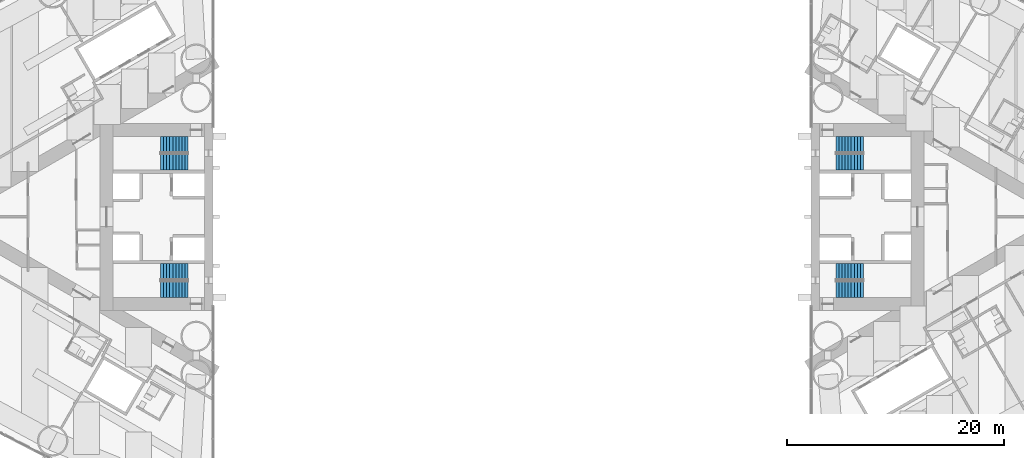
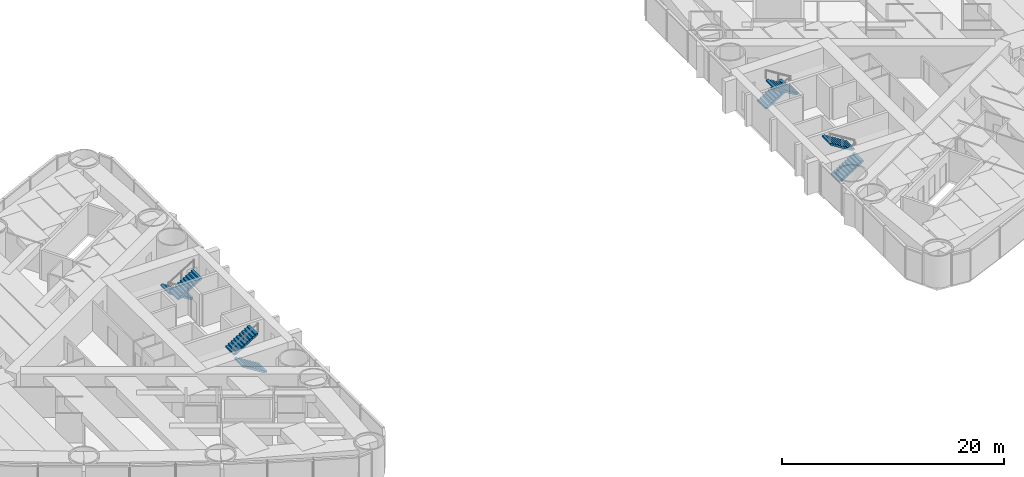
# One storey, part 17 of 19: 8 stair flights, 4 elements without a shape of their own.
"""IFC4 building model written with IfcOpenShell, lengths in metres."""

from ifc_helpers import new_model, si_unit, direction, frame, origin, place, context, subcontext, project, spatial, polyline, outline, extrude, material, type_object, element, aggregate, save


model = new_model("IFC4")

# Units and contexts
model_context = context("Model", 3, precision=1e-05, world=origin(), true_north=direction((0.0, 1.0)))
body_context = subcontext(model_context, "Body", "Model", "MODEL_VIEW")
ifc_project = project(units=[si_unit("LENGTHUNIT", "METRE"), si_unit("AREAUNIT", "SQUARE_METRE"), si_unit("VOLUMEUNIT", "CUBIC_METRE"), si_unit("PLANEANGLEUNIT", "RADIAN"), si_unit("MASSUNIT", "GRAM", prefix="KILO")], contexts=[model_context])

# Site, building, storey
site_placement = place(None, origin())
site = spatial("IfcSite", under=ifc_project, at=site_placement, CompositionType="ELEMENT")
building_placement = place(site_placement, origin())
building = spatial("IfcBuilding", under=site, at=building_placement, Name="Lancet Gate Hotel", CompositionType="ELEMENT")
storey_placement = place(building_placement, frame((0.0, 0.0, 32.0)))
storey = spatial("IfcBuildingStorey", under=building, at=storey_placement, Name="L07", CompositionType="ELEMENT", Elevation=32.0)

# Stair, stair flights
ifc_material_1 = material(Name="Exit stair 20 risers 1500")
stair_type = type_object("IfcStairType", Name="Exit stair 20 risers 1500", PredefinedType="HALF_TURN_STAIR", material=ifc_material_1)
stair_1_placement = place(storey_placement, origin())
stair_1 = element("IfcStair", 1, at=stair_1_placement, inside=storey, type_object=stair_type, Name="T1 stair 1 L07", PredefinedType="HALF_TURN_STAIR")
ifc_material_2 = material(Name="Stair flight 10 risers 175 rise 1500")
stair_flight_type = type_object("IfcStairFlightType", Name="Stair flight 10 risers 175 rise 1500", PredefinedType="STRAIGHT", material=ifc_material_2)
stair_flight_1_placement = place(storey_placement, frame((-29.800048828125, 6.64990234375, 0.0), z_axis=(0.0, 0.0, 1.0), x_axis=(-1.0, 0.0, 0.0)))
stair_flight_1 = element("IfcStairFlight", 2, at=stair_flight_1_placement, type_object=stair_flight_type, Name="ST1 flight 1", NumberOfRisers=10, NumberOfTreads=9, PredefinedType="STRAIGHT", RiserHeight=0.175, TreadLength=0.28, context=body_context, shape_type="SweptSolid", body=[
    extrude(outline(polyline([(0.0, 0.0), (0.0, 0.175048828125), (0.280029296875, 0.175048828125), (0.280029296875, 0.35009765625), (0.56005859375, 0.35009765625), (0.56005859375, 0.52490234375), (0.840087890625, 0.52490234375), (0.840087890625, 0.699951171875), (1.1201171875, 0.699951171875), (1.1201171875, 0.875), (1.39990234375, 0.875), (1.39990234375, 1.050048828125), (1.679931640625, 1.050048828125), (1.679931640625, 1.22509765625), (1.9599609375, 1.22509765625), (1.9599609375, 1.39990234375), (2.239990234375, 1.39990234375), (2.239990234375, 1.574951171875), (2.52001953125, 1.574951171875), (2.52001953125, 1.75), (2.52001953125, 1.398193359375), (0.28271484375, 0.0), (0.0, 0.0)])), frame((0.0, 0.75, 0.0), z_axis=(0.0, -1.0, 0.0), x_axis=(1.0, 0.0, 0.0)), (0.0, 0.0, 1.0), 1.5),
])
stair_flight_2_placement = place(storey_placement, frame((-32.320068359375, 5.050048828125, 1.75), z_axis=(0.0, 0.0, 1.0), x_axis=(1.0, 0.0, 0.0)))
stair_flight_2 = element("IfcStairFlight", 3, at=stair_flight_2_placement, type_object=stair_flight_type, Name="ST1 flight 2", NumberOfRisers=10, NumberOfTreads=9, PredefinedType="STRAIGHT", RiserHeight=0.175, TreadLength=0.28, context=body_context, shape_type="SweptSolid", body=[
    extrude(outline(polyline([(0.0, 0.0), (0.0, 0.175048828125), (0.280029296875, 0.175048828125), (0.280029296875, 0.35009765625), (0.56005859375, 0.35009765625), (0.56005859375, 0.52490234375), (0.840087890625, 0.52490234375), (0.840087890625, 0.699951171875), (1.1201171875, 0.699951171875), (1.1201171875, 0.875), (1.39990234375, 0.875), (1.39990234375, 1.050048828125), (1.679931640625, 1.050048828125), (1.679931640625, 1.22509765625), (1.9599609375, 1.22509765625), (1.9599609375, 1.39990234375), (2.239990234375, 1.39990234375), (2.239990234375, 1.574951171875), (2.52001953125, 1.574951171875), (2.52001953125, 1.75), (2.52001953125, 1.398193359375), (0.28271484375, 0.0), (0.0, 0.0)])), frame((0.0, 0.75, 0.0), z_axis=(0.0, -1.0, 0.0), x_axis=(1.0, 0.0, 0.0)), (0.0, 0.0, 1.0), 1.5),
])
aggregate(stair_1, [stair_flight_1, stair_flight_2])

stair_2_placement = place(storey_placement, origin())
stair_2 = element("IfcStair", 4, at=stair_2_placement, inside=storey, type_object=stair_type, Name="T1 stair 2 L07", PredefinedType="HALF_TURN_STAIR")
stair_flight_3_placement = place(storey_placement, frame((-29.800048828125, -6.64990234375, 0.0), z_axis=(0.0, 0.0, 1.0), x_axis=(-1.0, 0.0, 0.0)))
stair_flight_3 = element("IfcStairFlight", 5, at=stair_flight_3_placement, type_object=stair_flight_type, Name="ST2 flight 1", NumberOfRisers=10, NumberOfTreads=9, PredefinedType="STRAIGHT", RiserHeight=0.175, TreadLength=0.28, context=body_context, shape_type="SweptSolid", body=[
    extrude(outline(polyline([(0.0, 0.0), (0.0, 0.175048828125), (0.280029296875, 0.175048828125), (0.280029296875, 0.35009765625), (0.56005859375, 0.35009765625), (0.56005859375, 0.52490234375), (0.840087890625, 0.52490234375), (0.840087890625, 0.699951171875), (1.1201171875, 0.699951171875), (1.1201171875, 0.875), (1.39990234375, 0.875), (1.39990234375, 1.050048828125), (1.679931640625, 1.050048828125), (1.679931640625, 1.22509765625), (1.9599609375, 1.22509765625), (1.9599609375, 1.39990234375), (2.239990234375, 1.39990234375), (2.239990234375, 1.574951171875), (2.52001953125, 1.574951171875), (2.52001953125, 1.75), (2.52001953125, 1.398193359375), (0.28271484375, 0.0), (0.0, 0.0)])), frame((0.0, 0.75, 0.0), z_axis=(0.0, -1.0, 0.0), x_axis=(1.0, 0.0, 0.0)), (0.0, 0.0, 1.0), 1.5),
])
stair_flight_4_placement = place(storey_placement, frame((-32.320068359375, -5.050048828125, 1.75), z_axis=(0.0, 0.0, 1.0), x_axis=(1.0, 0.0, 0.0)))
stair_flight_4 = element("IfcStairFlight", 6, at=stair_flight_4_placement, type_object=stair_flight_type, Name="ST2 flight 2", NumberOfRisers=10, NumberOfTreads=9, PredefinedType="STRAIGHT", RiserHeight=0.175, TreadLength=0.28, context=body_context, shape_type="SweptSolid", body=[
    extrude(outline(polyline([(0.0, 0.0), (0.0, 0.175048828125), (0.280029296875, 0.175048828125), (0.280029296875, 0.35009765625), (0.56005859375, 0.35009765625), (0.56005859375, 0.52490234375), (0.840087890625, 0.52490234375), (0.840087890625, 0.699951171875), (1.1201171875, 0.699951171875), (1.1201171875, 0.875), (1.39990234375, 0.875), (1.39990234375, 1.050048828125), (1.679931640625, 1.050048828125), (1.679931640625, 1.22509765625), (1.9599609375, 1.22509765625), (1.9599609375, 1.39990234375), (2.239990234375, 1.39990234375), (2.239990234375, 1.574951171875), (2.52001953125, 1.574951171875), (2.52001953125, 1.75), (2.52001953125, 1.398193359375), (0.28271484375, 0.0), (0.0, 0.0)])), frame((0.0, 0.75, 0.0), z_axis=(0.0, -1.0, 0.0), x_axis=(1.0, 0.0, 0.0)), (0.0, 0.0, 1.0), 1.5),
])
aggregate(stair_2, [stair_flight_3, stair_flight_4])

stair_3_placement = place(storey_placement, origin())
stair_3 = element("IfcStair", 7, at=stair_3_placement, inside=storey, type_object=stair_type, Name="T2 stair 1 L07", PredefinedType="HALF_TURN_STAIR")
stair_flight_5_placement = place(storey_placement, frame((29.800048828125, -6.64990234375, 0.0), z_axis=(0.0, 0.0, 1.0), x_axis=(1.0, 0.0, 0.0)))
stair_flight_5 = element("IfcStairFlight", 8, at=stair_flight_5_placement, type_object=stair_flight_type, Name="ST3 flight 1", NumberOfRisers=10, NumberOfTreads=9, PredefinedType="STRAIGHT", RiserHeight=0.175, TreadLength=0.28, context=body_context, shape_type="SweptSolid", body=[
    extrude(outline(polyline([(0.0, 0.0), (0.0, 0.175048828125), (0.280029296875, 0.175048828125), (0.280029296875, 0.35009765625), (0.56005859375, 0.35009765625), (0.56005859375, 0.52490234375), (0.840087890625, 0.52490234375), (0.840087890625, 0.699951171875), (1.1201171875, 0.699951171875), (1.1201171875, 0.875), (1.39990234375, 0.875), (1.39990234375, 1.050048828125), (1.679931640625, 1.050048828125), (1.679931640625, 1.22509765625), (1.9599609375, 1.22509765625), (1.9599609375, 1.39990234375), (2.239990234375, 1.39990234375), (2.239990234375, 1.574951171875), (2.52001953125, 1.574951171875), (2.52001953125, 1.75), (2.52001953125, 1.398193359375), (0.28271484375, 0.0), (0.0, 0.0)])), frame((0.0, 0.75, 0.0), z_axis=(0.0, -1.0, 0.0), x_axis=(1.0, 0.0, 0.0)), (0.0, 0.0, 1.0), 1.5),
])
stair_flight_6_placement = place(storey_placement, frame((32.320068359375, -5.050048828125, 1.75), z_axis=(0.0, 0.0, 1.0), x_axis=(-1.0, 0.0, 0.0)))
stair_flight_6 = element("IfcStairFlight", 9, at=stair_flight_6_placement, type_object=stair_flight_type, Name="ST3 flight 2", NumberOfRisers=10, NumberOfTreads=9, PredefinedType="STRAIGHT", RiserHeight=0.175, TreadLength=0.28, context=body_context, shape_type="SweptSolid", body=[
    extrude(outline(polyline([(0.0, 0.0), (0.0, 0.175048828125), (0.280029296875, 0.175048828125), (0.280029296875, 0.35009765625), (0.56005859375, 0.35009765625), (0.56005859375, 0.52490234375), (0.840087890625, 0.52490234375), (0.840087890625, 0.699951171875), (1.1201171875, 0.699951171875), (1.1201171875, 0.875), (1.39990234375, 0.875), (1.39990234375, 1.050048828125), (1.679931640625, 1.050048828125), (1.679931640625, 1.22509765625), (1.9599609375, 1.22509765625), (1.9599609375, 1.39990234375), (2.239990234375, 1.39990234375), (2.239990234375, 1.574951171875), (2.52001953125, 1.574951171875), (2.52001953125, 1.75), (2.52001953125, 1.398193359375), (0.28271484375, 0.0), (0.0, 0.0)])), frame((0.0, 0.75, 0.0), z_axis=(0.0, -1.0, 0.0), x_axis=(1.0, 0.0, 0.0)), (0.0, 0.0, 1.0), 1.5),
])
aggregate(stair_3, [stair_flight_5, stair_flight_6])

stair_4_placement = place(storey_placement, origin())
stair_4 = element("IfcStair", 10, at=stair_4_placement, inside=storey, type_object=stair_type, Name="T2 stair 2 L07", PredefinedType="HALF_TURN_STAIR")
stair_flight_7_placement = place(storey_placement, frame((29.800048828125, 6.64990234375, 0.0), z_axis=(0.0, 0.0, 1.0), x_axis=(1.0, 0.0, 0.0)))
stair_flight_7 = element("IfcStairFlight", 11, at=stair_flight_7_placement, type_object=stair_flight_type, Name="ST4 flight 1", NumberOfRisers=10, NumberOfTreads=9, PredefinedType="STRAIGHT", RiserHeight=0.175, TreadLength=0.28, context=body_context, shape_type="SweptSolid", body=[
    extrude(outline(polyline([(0.0, 0.0), (0.0, 0.175048828125), (0.280029296875, 0.175048828125), (0.280029296875, 0.35009765625), (0.56005859375, 0.35009765625), (0.56005859375, 0.52490234375), (0.840087890625, 0.52490234375), (0.840087890625, 0.699951171875), (1.1201171875, 0.699951171875), (1.1201171875, 0.875), (1.39990234375, 0.875), (1.39990234375, 1.050048828125), (1.679931640625, 1.050048828125), (1.679931640625, 1.22509765625), (1.9599609375, 1.22509765625), (1.9599609375, 1.39990234375), (2.239990234375, 1.39990234375), (2.239990234375, 1.574951171875), (2.52001953125, 1.574951171875), (2.52001953125, 1.75), (2.52001953125, 1.398193359375), (0.28271484375, 0.0), (0.0, 0.0)])), frame((0.0, 0.75, 0.0), z_axis=(0.0, -1.0, 0.0), x_axis=(1.0, 0.0, 0.0)), (0.0, 0.0, 1.0), 1.5),
])
stair_flight_8_placement = place(storey_placement, frame((32.320068359375, 5.050048828125, 1.75), z_axis=(0.0, 0.0, 1.0), x_axis=(-1.0, 0.0, 0.0)))
stair_flight_8 = element("IfcStairFlight", 12, at=stair_flight_8_placement, type_object=stair_flight_type, Name="ST4 flight 2", NumberOfRisers=10, NumberOfTreads=9, PredefinedType="STRAIGHT", RiserHeight=0.175, TreadLength=0.28, context=body_context, shape_type="SweptSolid", body=[
    extrude(outline(polyline([(0.0, 0.0), (0.0, 0.175048828125), (0.280029296875, 0.175048828125), (0.280029296875, 0.35009765625), (0.56005859375, 0.35009765625), (0.56005859375, 0.52490234375), (0.840087890625, 0.52490234375), (0.840087890625, 0.699951171875), (1.1201171875, 0.699951171875), (1.1201171875, 0.875), (1.39990234375, 0.875), (1.39990234375, 1.050048828125), (1.679931640625, 1.050048828125), (1.679931640625, 1.22509765625), (1.9599609375, 1.22509765625), (1.9599609375, 1.39990234375), (2.239990234375, 1.39990234375), (2.239990234375, 1.574951171875), (2.52001953125, 1.574951171875), (2.52001953125, 1.75), (2.52001953125, 1.398193359375), (0.28271484375, 0.0), (0.0, 0.0)])), frame((0.0, 0.75, 0.0), z_axis=(0.0, -1.0, 0.0), x_axis=(1.0, 0.0, 0.0)), (0.0, 0.0, 1.0), 1.5),
])
aggregate(stair_4, [stair_flight_7, stair_flight_8])

save(model, "model.ifc")
